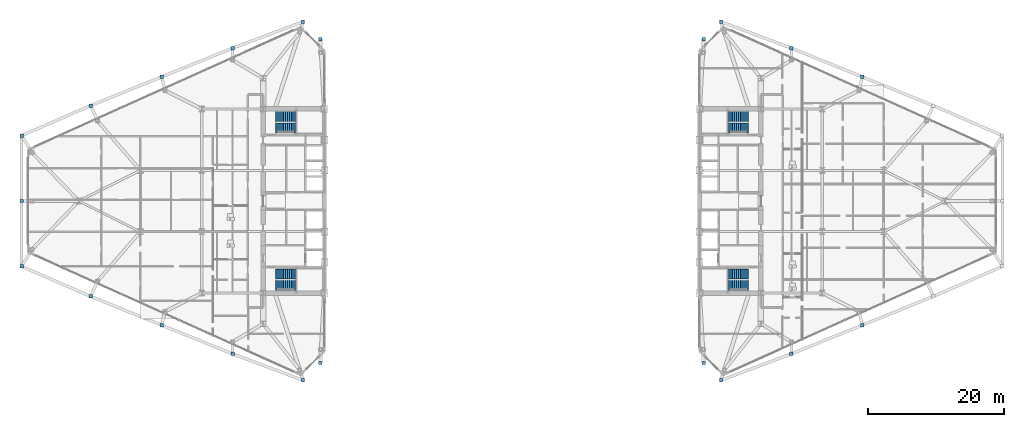
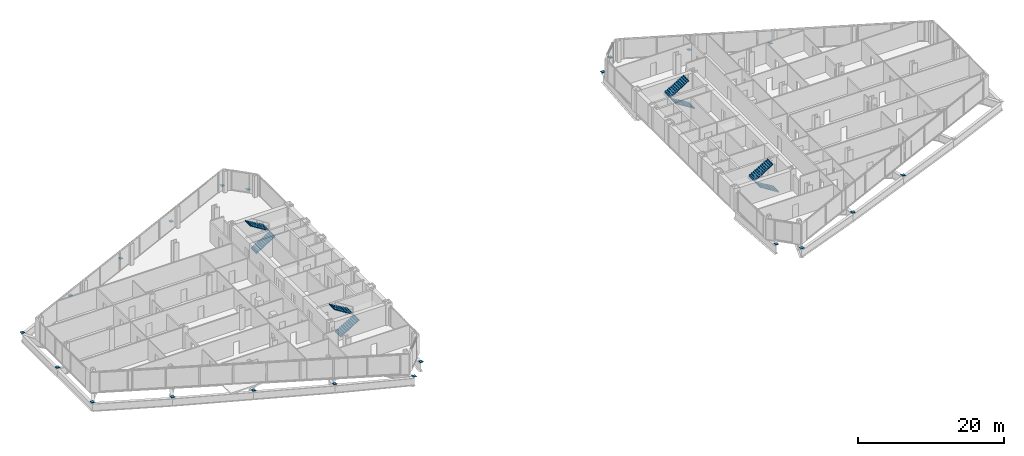
# One storey, part 26 of 29: 21 discrete accessories, 8 stair flights, 4 elements without a shape of their own.
"""IFC4 building model written with IfcOpenShell, lengths in metres."""

from ifc_helpers import new_model, si_unit, direction, frame, origin, origin_2d, place, context, subcontext, project, spatial, polyline, rectangle, outline, extrude, source, transform, mapped, material, type_object, type_shapes, element, aggregate, save


model = new_model("IFC4")

# Units and contexts
model_context = context("Model", 3, precision=1e-05, world=origin(), true_north=direction((0.0, 1.0)))
body_context = subcontext(model_context, "Body", "Model", "MODEL_VIEW")
ifc_project = project(units=[si_unit("LENGTHUNIT", "METRE"), si_unit("AREAUNIT", "SQUARE_METRE"), si_unit("VOLUMEUNIT", "CUBIC_METRE"), si_unit("PLANEANGLEUNIT", "RADIAN"), si_unit("MASSUNIT", "GRAM", prefix="KILO")], contexts=[model_context])

# Site, building, storey
site_placement = place(None, origin())
site = spatial("IfcSite", under=ifc_project, at=site_placement, CompositionType="ELEMENT")
building_placement = place(site_placement, origin())
building = spatial("IfcBuilding", under=site, at=building_placement, Name="Seokmaru Belvedere", CompositionType="ELEMENT")
storey_placement = place(building_placement, frame((0.0, 0.0, 62.10009765625)))
storey = spatial("IfcBuildingStorey", under=building, at=storey_placement, Name="L16", CompositionType="ELEMENT", Elevation=62.10009765625)

# Stair, stair flights
ifc_material_1 = material(Name="Concrete C40 (40 MPa)", Category="concrete")
stair_type = type_object("IfcStairType", Name="Typical Tower Core Dog-Leg Stair 3600", PredefinedType="TWO_STRAIGHT_RUN_STAIR", material=ifc_material_1)
stair_1_placement = place(storey_placement, origin())
stair_1 = element("IfcStair", 1, at=stair_1_placement, inside=storey, type_object=stair_type, Name="L16 Special Escape Stair ST-W1", PredefinedType="TWO_STRAIGHT_RUN_STAIR")
stair_flight_type = type_object("IfcStairFlightType", Name="Reinforced Concrete Stair Flight 1500", PredefinedType="STRAIGHT", material=ifc_material_1)
stair_flight_1_placement = place(storey_placement, frame((-34.60009765625, -12.35009765625, 0.0), z_axis=(0.0, 0.0, 1.0), x_axis=(1.0, 0.0, 0.0)))
stair_flight_1 = element("IfcStairFlight", 2, at=stair_flight_1_placement, type_object=stair_flight_type, Name="ST-W1 flight 1", NumberOfRisers=11, NumberOfTreads=10, PredefinedType="STRAIGHT", RiserHeight=0.163636364, TreadLength=0.28, context=body_context, shape_type="SweptSolid", body=[
    extrude(outline(polyline([(-0.080078125, 0.0), (0.0, 0.16357421875), (0.280029296875, 0.16357421875), (0.280029296875, 0.327392578125), (0.56005859375, 0.327392578125), (0.56005859375, 0.490966796875), (0.840087890625, 0.490966796875), (0.840087890625, 0.654541015625), (1.1201171875, 0.654541015625), (1.1201171875, 0.818115234375), (1.39990234375, 0.818115234375), (1.39990234375, 0.98193359375), (1.679931640625, 0.98193359375), (1.679931640625, 1.1455078125), (1.9599609375, 1.1455078125), (1.9599609375, 1.30908203125), (2.239990234375, 1.30908203125), (2.239990234375, 1.47265625), (2.52001953125, 1.47265625), (2.52001953125, 1.636474609375), (2.800048828125, 1.636474609375), (2.800048828125, 1.800048828125), (2.8798828125, 1.800048828125), (2.8798828125, 1.610107421875), (2.800048828125, 1.610107421875), (0.0, -0.159912109375), (-0.080078125, -0.159912109375), (-0.080078125, 0.0)])), frame((0.0, 0.75, 0.0), z_axis=(0.0, -1.0, 0.0), x_axis=(1.0, 0.0, 0.0)), (0.0, 0.0, 1.0), 1.5),
])
stair_flight_2_placement = place(storey_placement, frame((-31.800048828125, -10.7099609375, 1.7998046875), z_axis=(0.0, 0.0, 1.0), x_axis=(-1.0, 0.0, 0.0)))
stair_flight_2 = element("IfcStairFlight", 3, at=stair_flight_2_placement, type_object=stair_flight_type, Name="ST-W1 flight 2", NumberOfRisers=11, NumberOfTreads=10, PredefinedType="STRAIGHT", RiserHeight=0.163636364, TreadLength=0.28, context=body_context, shape_type="SweptSolid", body=[
    extrude(outline(polyline([(-0.080078125, 0.0), (0.0, 0.16357421875), (0.280029296875, 0.16357421875), (0.280029296875, 0.327392578125), (0.56005859375, 0.327392578125), (0.56005859375, 0.490966796875), (0.840087890625, 0.490966796875), (0.840087890625, 0.654541015625), (1.1201171875, 0.654541015625), (1.1201171875, 0.818115234375), (1.39990234375, 0.818115234375), (1.39990234375, 0.98193359375), (1.679931640625, 0.98193359375), (1.679931640625, 1.1455078125), (1.9599609375, 1.1455078125), (1.9599609375, 1.30908203125), (2.239990234375, 1.30908203125), (2.239990234375, 1.47265625), (2.52001953125, 1.47265625), (2.52001953125, 1.636474609375), (2.800048828125, 1.636474609375), (2.800048828125, 1.800048828125), (2.8798828125, 1.800048828125), (2.8798828125, 1.610107421875), (2.800048828125, 1.610107421875), (0.0, -0.159912109375), (-0.080078125, -0.159912109375), (-0.080078125, 0.0)])), frame((0.0, 0.75, 0.0), z_axis=(0.0, -1.0, 0.0), x_axis=(1.0, 0.0, 0.0)), (0.0, 0.0, 1.0), 1.5),
])
aggregate(stair_1, [stair_flight_1, stair_flight_2])

stair_2_placement = place(storey_placement, origin())
stair_2 = element("IfcStair", 4, at=stair_2_placement, inside=storey, type_object=stair_type, Name="L16 Special Escape Stair ST-W2", PredefinedType="TWO_STRAIGHT_RUN_STAIR")
stair_flight_3_placement = place(storey_placement, frame((-34.60009765625, 10.7099609375, 0.0), z_axis=(0.0, 0.0, 1.0), x_axis=(1.0, 0.0, 0.0)))
stair_flight_3 = element("IfcStairFlight", 5, at=stair_flight_3_placement, type_object=stair_flight_type, Name="ST-W2 flight 1", NumberOfRisers=11, NumberOfTreads=10, PredefinedType="STRAIGHT", RiserHeight=0.163636364, TreadLength=0.28, context=body_context, shape_type="SweptSolid", body=[
    extrude(outline(polyline([(-0.080078125, 0.0), (0.0, 0.16357421875), (0.280029296875, 0.16357421875), (0.280029296875, 0.327392578125), (0.56005859375, 0.327392578125), (0.56005859375, 0.490966796875), (0.840087890625, 0.490966796875), (0.840087890625, 0.654541015625), (1.1201171875, 0.654541015625), (1.1201171875, 0.818115234375), (1.39990234375, 0.818115234375), (1.39990234375, 0.98193359375), (1.679931640625, 0.98193359375), (1.679931640625, 1.1455078125), (1.9599609375, 1.1455078125), (1.9599609375, 1.30908203125), (2.239990234375, 1.30908203125), (2.239990234375, 1.47265625), (2.52001953125, 1.47265625), (2.52001953125, 1.636474609375), (2.800048828125, 1.636474609375), (2.800048828125, 1.800048828125), (2.8798828125, 1.800048828125), (2.8798828125, 1.610107421875), (2.800048828125, 1.610107421875), (0.0, -0.159912109375), (-0.080078125, -0.159912109375), (-0.080078125, 0.0)])), frame((0.0, 0.75, 0.0), z_axis=(0.0, -1.0, 0.0), x_axis=(1.0, 0.0, 0.0)), (0.0, 0.0, 1.0), 1.5),
])
stair_flight_4_placement = place(storey_placement, frame((-31.800048828125, 12.35009765625, 1.7998046875), z_axis=(0.0, 0.0, 1.0), x_axis=(-1.0, 0.0, 0.0)))
stair_flight_4 = element("IfcStairFlight", 6, at=stair_flight_4_placement, type_object=stair_flight_type, Name="ST-W2 flight 2", NumberOfRisers=11, NumberOfTreads=10, PredefinedType="STRAIGHT", RiserHeight=0.163636364, TreadLength=0.28, context=body_context, shape_type="SweptSolid", body=[
    extrude(outline(polyline([(-0.080078125, 0.0), (0.0, 0.16357421875), (0.280029296875, 0.16357421875), (0.280029296875, 0.327392578125), (0.56005859375, 0.327392578125), (0.56005859375, 0.490966796875), (0.840087890625, 0.490966796875), (0.840087890625, 0.654541015625), (1.1201171875, 0.654541015625), (1.1201171875, 0.818115234375), (1.39990234375, 0.818115234375), (1.39990234375, 0.98193359375), (1.679931640625, 0.98193359375), (1.679931640625, 1.1455078125), (1.9599609375, 1.1455078125), (1.9599609375, 1.30908203125), (2.239990234375, 1.30908203125), (2.239990234375, 1.47265625), (2.52001953125, 1.47265625), (2.52001953125, 1.636474609375), (2.800048828125, 1.636474609375), (2.800048828125, 1.800048828125), (2.8798828125, 1.800048828125), (2.8798828125, 1.610107421875), (2.800048828125, 1.610107421875), (0.0, -0.159912109375), (-0.080078125, -0.159912109375), (-0.080078125, 0.0)])), frame((0.0, 0.75, 0.0), z_axis=(0.0, -1.0, 0.0), x_axis=(1.0, 0.0, 0.0)), (0.0, 0.0, 1.0), 1.5),
])
aggregate(stair_2, [stair_flight_3, stair_flight_4])

stair_3_placement = place(storey_placement, origin())
stair_3 = element("IfcStair", 7, at=stair_3_placement, inside=storey, type_object=stair_type, Name="L16 Special Escape Stair ST-E1", PredefinedType="TWO_STRAIGHT_RUN_STAIR")
stair_flight_5_placement = place(storey_placement, frame((34.60009765625, -12.35009765625, 0.0), z_axis=(0.0, 0.0, 1.0), x_axis=(-1.0, 0.0, 0.0)))
stair_flight_5 = element("IfcStairFlight", 8, at=stair_flight_5_placement, type_object=stair_flight_type, Name="ST-E1 flight 1", NumberOfRisers=11, NumberOfTreads=10, PredefinedType="STRAIGHT", RiserHeight=0.163636364, TreadLength=0.28, context=body_context, shape_type="SweptSolid", body=[
    extrude(outline(polyline([(-0.080078125, 0.0), (0.0, 0.16357421875), (0.280029296875, 0.16357421875), (0.280029296875, 0.327392578125), (0.56005859375, 0.327392578125), (0.56005859375, 0.490966796875), (0.840087890625, 0.490966796875), (0.840087890625, 0.654541015625), (1.1201171875, 0.654541015625), (1.1201171875, 0.818115234375), (1.39990234375, 0.818115234375), (1.39990234375, 0.98193359375), (1.679931640625, 0.98193359375), (1.679931640625, 1.1455078125), (1.9599609375, 1.1455078125), (1.9599609375, 1.30908203125), (2.239990234375, 1.30908203125), (2.239990234375, 1.47265625), (2.52001953125, 1.47265625), (2.52001953125, 1.636474609375), (2.800048828125, 1.636474609375), (2.800048828125, 1.800048828125), (2.8798828125, 1.800048828125), (2.8798828125, 1.610107421875), (2.800048828125, 1.610107421875), (0.0, -0.159912109375), (-0.080078125, -0.159912109375), (-0.080078125, 0.0)])), frame((0.0, 0.75, 0.0), z_axis=(0.0, -1.0, 0.0), x_axis=(1.0, 0.0, 0.0)), (0.0, 0.0, 1.0), 1.5),
])
stair_flight_6_placement = place(storey_placement, frame((31.800048828125, -10.7099609375, 1.7998046875), z_axis=(0.0, 0.0, 1.0), x_axis=(1.0, 0.0, 0.0)))
stair_flight_6 = element("IfcStairFlight", 9, at=stair_flight_6_placement, type_object=stair_flight_type, Name="ST-E1 flight 2", NumberOfRisers=11, NumberOfTreads=10, PredefinedType="STRAIGHT", RiserHeight=0.163636364, TreadLength=0.28, context=body_context, shape_type="SweptSolid", body=[
    extrude(outline(polyline([(-0.080078125, 0.0), (0.0, 0.16357421875), (0.280029296875, 0.16357421875), (0.280029296875, 0.327392578125), (0.56005859375, 0.327392578125), (0.56005859375, 0.490966796875), (0.840087890625, 0.490966796875), (0.840087890625, 0.654541015625), (1.1201171875, 0.654541015625), (1.1201171875, 0.818115234375), (1.39990234375, 0.818115234375), (1.39990234375, 0.98193359375), (1.679931640625, 0.98193359375), (1.679931640625, 1.1455078125), (1.9599609375, 1.1455078125), (1.9599609375, 1.30908203125), (2.239990234375, 1.30908203125), (2.239990234375, 1.47265625), (2.52001953125, 1.47265625), (2.52001953125, 1.636474609375), (2.800048828125, 1.636474609375), (2.800048828125, 1.800048828125), (2.8798828125, 1.800048828125), (2.8798828125, 1.610107421875), (2.800048828125, 1.610107421875), (0.0, -0.159912109375), (-0.080078125, -0.159912109375), (-0.080078125, 0.0)])), frame((0.0, 0.75, 0.0), z_axis=(0.0, -1.0, 0.0), x_axis=(1.0, 0.0, 0.0)), (0.0, 0.0, 1.0), 1.5),
])
aggregate(stair_3, [stair_flight_5, stair_flight_6])

stair_4_placement = place(storey_placement, origin())
stair_4 = element("IfcStair", 10, at=stair_4_placement, inside=storey, type_object=stair_type, Name="L16 Special Escape Stair ST-E2", PredefinedType="TWO_STRAIGHT_RUN_STAIR")
stair_flight_7_placement = place(storey_placement, frame((34.60009765625, 10.7099609375, 0.0), z_axis=(0.0, 0.0, 1.0), x_axis=(-1.0, 0.0, 0.0)))
stair_flight_7 = element("IfcStairFlight", 11, at=stair_flight_7_placement, type_object=stair_flight_type, Name="ST-E2 flight 1", NumberOfRisers=11, NumberOfTreads=10, PredefinedType="STRAIGHT", RiserHeight=0.163636364, TreadLength=0.28, context=body_context, shape_type="SweptSolid", body=[
    extrude(outline(polyline([(-0.080078125, 0.0), (0.0, 0.16357421875), (0.280029296875, 0.16357421875), (0.280029296875, 0.327392578125), (0.56005859375, 0.327392578125), (0.56005859375, 0.490966796875), (0.840087890625, 0.490966796875), (0.840087890625, 0.654541015625), (1.1201171875, 0.654541015625), (1.1201171875, 0.818115234375), (1.39990234375, 0.818115234375), (1.39990234375, 0.98193359375), (1.679931640625, 0.98193359375), (1.679931640625, 1.1455078125), (1.9599609375, 1.1455078125), (1.9599609375, 1.30908203125), (2.239990234375, 1.30908203125), (2.239990234375, 1.47265625), (2.52001953125, 1.47265625), (2.52001953125, 1.636474609375), (2.800048828125, 1.636474609375), (2.800048828125, 1.800048828125), (2.8798828125, 1.800048828125), (2.8798828125, 1.610107421875), (2.800048828125, 1.610107421875), (0.0, -0.159912109375), (-0.080078125, -0.159912109375), (-0.080078125, 0.0)])), frame((0.0, 0.75, 0.0), z_axis=(0.0, -1.0, 0.0), x_axis=(1.0, 0.0, 0.0)), (0.0, 0.0, 1.0), 1.5),
])
stair_flight_8_placement = place(storey_placement, frame((31.800048828125, 12.35009765625, 1.7998046875), z_axis=(0.0, 0.0, 1.0), x_axis=(1.0, 0.0, 0.0)))
stair_flight_8 = element("IfcStairFlight", 12, at=stair_flight_8_placement, type_object=stair_flight_type, Name="ST-E2 flight 2", NumberOfRisers=11, NumberOfTreads=10, PredefinedType="STRAIGHT", RiserHeight=0.163636364, TreadLength=0.28, context=body_context, shape_type="SweptSolid", body=[
    extrude(outline(polyline([(-0.080078125, 0.0), (0.0, 0.16357421875), (0.280029296875, 0.16357421875), (0.280029296875, 0.327392578125), (0.56005859375, 0.327392578125), (0.56005859375, 0.490966796875), (0.840087890625, 0.490966796875), (0.840087890625, 0.654541015625), (1.1201171875, 0.654541015625), (1.1201171875, 0.818115234375), (1.39990234375, 0.818115234375), (1.39990234375, 0.98193359375), (1.679931640625, 0.98193359375), (1.679931640625, 1.1455078125), (1.9599609375, 1.1455078125), (1.9599609375, 1.30908203125), (2.239990234375, 1.30908203125), (2.239990234375, 1.47265625), (2.52001953125, 1.47265625), (2.52001953125, 1.636474609375), (2.800048828125, 1.636474609375), (2.800048828125, 1.800048828125), (2.8798828125, 1.800048828125), (2.8798828125, 1.610107421875), (2.800048828125, 1.610107421875), (0.0, -0.159912109375), (-0.080078125, -0.159912109375), (-0.080078125, 0.0)])), frame((0.0, 0.75, 0.0), z_axis=(0.0, -1.0, 0.0), x_axis=(1.0, 0.0, 0.0)), (0.0, 0.0, 1.0), 1.5),
])
aggregate(stair_4, [stair_flight_7, stair_flight_8])

# Discrete accessories
ifc_material_2 = material(Name="Steel SM355 (355 MPa)", Category="steel")
discrete_accessory_type = type_object("IfcDiscreteAccessoryType", Name="End Cap Plate HSS-500x500x20", PredefinedType="USERDEFINED", material=ifc_material_2)
shared_shape = source(origin(), body_context, "Body", "SweptSolid", [
    extrude(rectangle(XDim=0.5, YDim=0.5, at=origin_2d()), origin(), (0.0, 0.0, 1.0), 0.02001953125),
])
type_shapes(discrete_accessory_type, [shared_shape])
for number, where, z_axis, x_axis, name in (
    (13, (-28.10009765625, -23.75146484375, 0.0), (0.0, 0.0, 1.0), (1.0, 0.0, 0.0), "L15 Column WF1 End Cap Plate Top"),
    (14, (-28.10009765625, 23.75146484375, 0.0), (0.0, 0.0, 1.0), (1.0, 0.0, 0.0), "L15 Column WF2 End Cap Plate Top"),
    (15, (-30.643310546875, 26.294677734375, 0.0), (0.0, 0.0, 1.0), (1.0, 0.0, 0.0), "L15 Column WF3 End Cap Plate Top"),
    (16, (-71.89990234375, 9.595703125, 0.0), (0.0, 0.0, 1.0), (1.0, 0.0, 0.0), "L15 Column WF4 End Cap Plate Top"),
    (17, (-71.89990234375, -9.595703125, 0.0), (0.0, 0.0, 1.0), (1.0, 0.0, 0.0), "L15 Column WF5 End Cap Plate Top"),
    (18, (-30.643310546875, -26.294677734375, 0.0), (0.0, 0.0, 1.0), (1.0, 0.0, 0.0), "L15 Column WF6 End Cap Plate Top"),
    (19, (-40.977294921875, -22.4140625, 0.0), (0.0, 0.0, 1.0), (1.0, 0.0, 0.0), "L15 Column WFLK_S1 End Cap Plate Top"),
    (20, (-51.378173828125, -18.2041015625, 0.0), (0.0, 0.0, 1.0), (1.0, 0.0, 0.0), "L15 Column WFLK_S2 End Cap Plate Top"),
    (21, (-61.779052734375, -13.994140625, 0.0), (0.0, 0.0, 1.0), (1.0, 0.0, 0.0), "L15 Column WFLK_S3 End Cap Plate Top"),
    (22, (-40.977294921875, 22.4140625, 0.0), (0.0, 0.0, 1.0), (1.0, 0.0, 0.0), "L15 Column WFLK_N1 End Cap Plate Top"),
    (23, (-51.378173828125, 18.2041015625, 0.0), (0.0, 0.0, 1.0), (1.0, 0.0, 0.0), "L15 Column WFLK_N2 End Cap Plate Top"),
    (24, (-61.779052734375, 13.994140625, 0.0), (0.0, 0.0, 1.0), (1.0, 0.0, 0.0), "L15 Column WFLK_N3 End Cap Plate Top"),
    (25, (-71.89990234375, 0.0, 0.0), (0.0, 0.0, 1.0), (1.0, 0.0, 0.0), "L15 Column WF_APXM End Cap Plate Top"),
    (26, (30.643310546875, -26.294677734375, 0.0), (0.0, 0.0, 1.0), (1.0, 0.0, 0.0), "L15 Column EF1 End Cap Plate Top"),
    (27, (30.643310546875, 26.294677734375, 0.0), (0.0, 0.0, 1.0), (1.0, 0.0, 0.0), "L15 Column EF4 End Cap Plate Top"),
    (28, (28.10009765625, 23.75146484375, 0.0), (0.0, 0.0, 1.0), (1.0, 0.0, 0.0), "L15 Column EF5 End Cap Plate Top"),
    (29, (28.10009765625, -23.75146484375, 0.0), (0.0, 0.0, 1.0), (1.0, 0.0, 0.0), "L15 Column EF6 End Cap Plate Top"),
    (30, (40.977294921875, -22.4140625, 0.0), (0.0, 0.0, 1.0), (1.0, 0.0, 0.0), "L15 Column EFLK_S1 End Cap Plate Top"),
    (31, (51.378173828125, -18.2041015625, 0.0), (0.0, 0.0, 1.0), (1.0, 0.0, 0.0), "L15 Column EFLK_S2 End Cap Plate Top"),
    (32, (40.977294921875, 22.4140625, 0.0), (0.0, 0.0, 1.0), (1.0, 0.0, 0.0), "L15 Column EFLK_N1 End Cap Plate Top"),
    (33, (51.378173828125, 18.2041015625, 0.0), (0.0, 0.0, 1.0), (1.0, 0.0, 0.0), "L15 Column EFLK_N2 End Cap Plate Top"),
):
    element("IfcDiscreteAccessory", number, at=place(storey_placement, frame(where, z_axis=z_axis, x_axis=x_axis)), inside=storey, type_object=discrete_accessory_type, Name=name, ObjectType="END_CAP_PLATE", PredefinedType="USERDEFINED", context=body_context, shape_type="MappedRepresentation", body=[
        mapped(shared_shape, transform((0.0, 0.0, 0.0), scale=1.0)),
    ])

save(model, "model.ifc")
